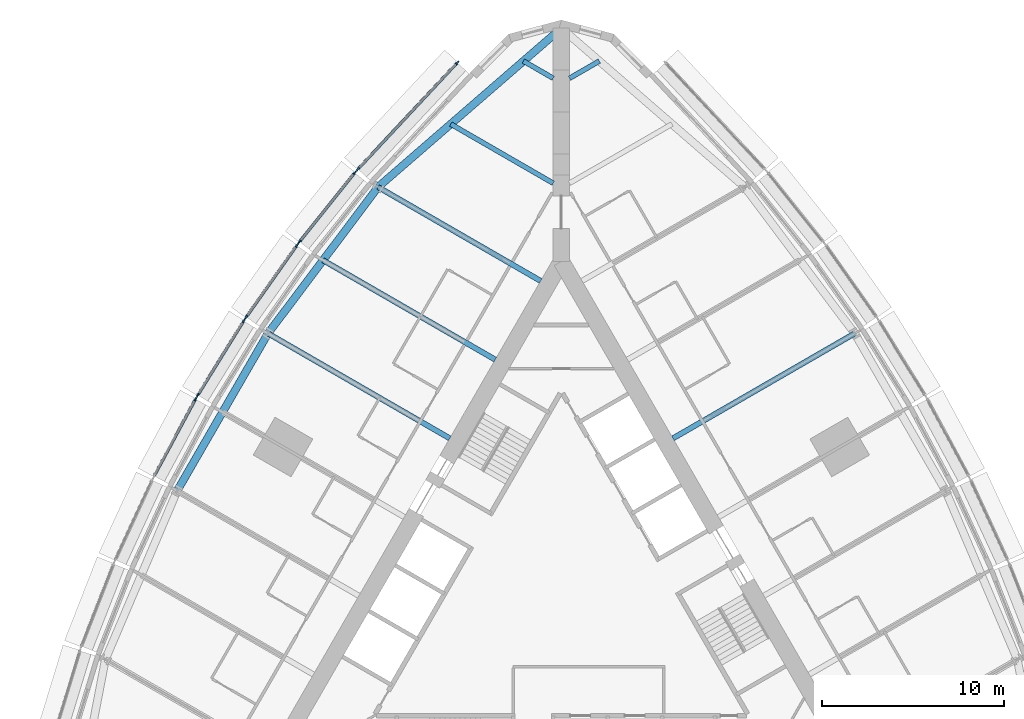
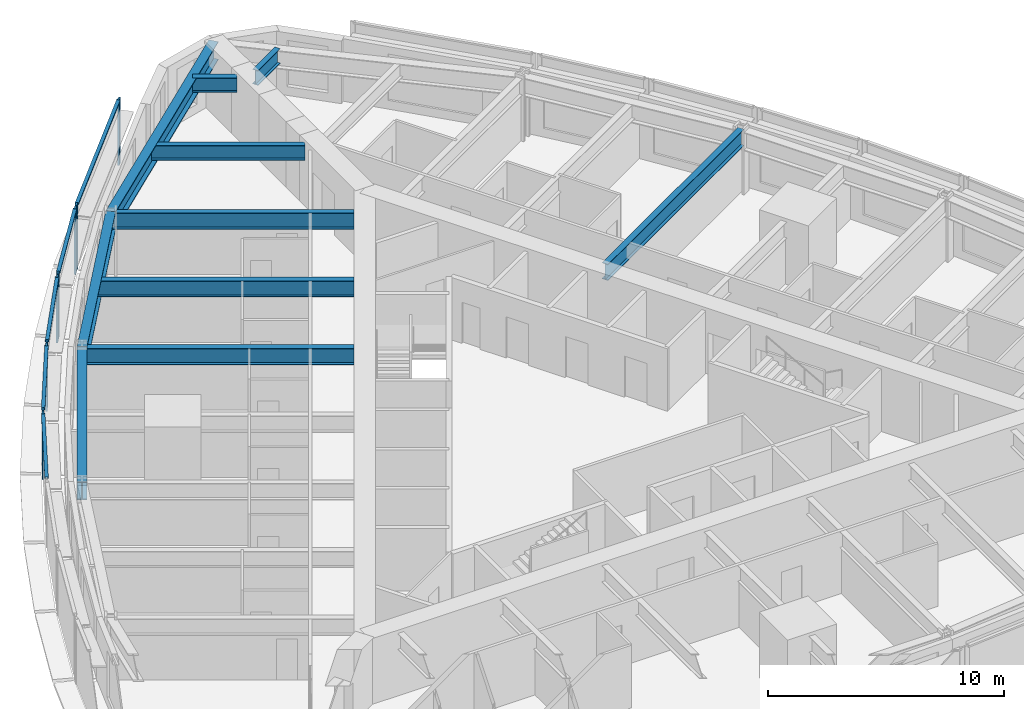
# One storey, part 4 of 14: 14 members, 10 beams, 5 elements without a shape of their own.
"""IFC4 building model written with IfcOpenShell, lengths in metres."""

from ifc_helpers import new_model, si_unit, direction, frame, origin, origin_2d, place, context, subcontext, project, spatial, rectangle, i_section, extrude, material, material_profile, profile_set, type_object, element, aggregate, save


model = new_model("IFC4")

# Units and contexts
model_context = context("Model", 3, precision=1e-05, world=origin(), true_north=direction((0.0, 1.0)))
body_context = subcontext(model_context, "Body", "Model", "MODEL_VIEW")
ifc_project = project(units=[si_unit("LENGTHUNIT", "METRE"), si_unit("AREAUNIT", "SQUARE_METRE"), si_unit("VOLUMEUNIT", "CUBIC_METRE"), si_unit("PLANEANGLEUNIT", "RADIAN"), si_unit("MASSUNIT", "GRAM", prefix="KILO")], contexts=[model_context])

# Site, building, storey
site_placement = place(None, origin())
site = spatial("IfcSite", under=ifc_project, at=site_placement, CompositionType="ELEMENT")
building_placement = place(site_placement, origin())
building = spatial("IfcBuilding", under=site, at=building_placement, Name="Trikona Tower", CompositionType="ELEMENT")
storey_placement = place(building_placement, frame((0.0, 0.0, 48.89990234375)))
storey = spatial("IfcBuildingStorey", under=building, at=storey_placement, Name="L11", CompositionType="ELEMENT", Elevation=48.89990234375)

# Curtain wall, members
ifc_material_1 = material(Name="Aluminium curtain wall system", Category="aluminium")
curtain_wall_type = type_object("IfcCurtainWallType", Name="Curtain wall DS1", PredefinedType="NOTDEFINED", material=ifc_material_1)
curtain_wall_1_placement = place(storey_placement, origin())
curtain_wall_1 = element("IfcCurtainWall", 1, at=curtain_wall_1_placement, inside=storey, type_object=curtain_wall_type, Name="Curtain wall DS1 L11", PredefinedType="NOTDEFINED")
ifc_material_2 = material(Name="Aluminium mullion, pale anodised", Category="aluminium")
ifc_material_profile_1 = material_profile(ifc_material_2, rectangle(XDim=0.080078125, YDim=0.219970703125, at=origin_2d()), Name="MUL-DS1")
ifc_profile_set_1 = profile_set([ifc_material_profile_1], Name="Aluminium mullion, pale anodised")
member_type_1 = type_object("IfcMemberType", Name="Mullion DS1 80x220", PredefinedType="MULLION", material=ifc_profile_set_1)
member_1_placement = place(storey_placement, frame((-5.72607421875, 29.98583984375, 0.0), z_axis=(0.0, 0.0, 1.0), x_axis=(0.731076639405, -0.682295351967, 0.0)))
member_1 = element("IfcMember", 2, at=member_1_placement, type_object=member_type_1, Name="CW-DS1 mullion 1", PredefinedType="MULLION", context=body_context, shape_type="SweptSolid", body=[
    extrude(rectangle(XDim=0.080078125, YDim=0.219970703125, at=origin_2d()), origin(), (0.0, 0.0, 1.0), 3.400146484375),
])
member_2_placement = place(storey_placement, frame((-11.192138671875, 24.129150390625, 0.0), z_axis=(0.0, 0.0, 1.0), x_axis=(0.731076639405, -0.682295351967, 0.0)))
member_2 = element("IfcMember", 3, at=member_2_placement, type_object=member_type_1, Name="CW-DS1 mullion 2", PredefinedType="MULLION", context=body_context, shape_type="SweptSolid", body=[
    extrude(rectangle(XDim=0.080078125, YDim=0.219970703125, at=origin_2d()), origin(), (0.0, 0.0, 1.0), 3.400146484375),
])

curtain_wall_2_placement = place(storey_placement, origin())
curtain_wall_2 = element("IfcCurtainWall", 4, at=curtain_wall_2_placement, inside=storey, type_object=curtain_wall_type, Name="Curtain wall DS1 L11", PredefinedType="NOTDEFINED")
member_3_placement = place(storey_placement, frame((-11.36767578125, 23.926025390625, 0.0), z_axis=(0.0, 0.0, 1.0), x_axis=(0.780937959679, -0.624608599951, 0.0)))
member_3 = element("IfcMember", 5, at=member_3_placement, type_object=member_type_1, Name="CW-DS1 mullion 1", PredefinedType="MULLION", context=body_context, shape_type="SweptSolid", body=[
    extrude(rectangle(XDim=0.080078125, YDim=0.219970703125, at=origin_2d()), origin(), (0.0, 0.0, 1.0), 3.400146484375),
])
member_4_placement = place(storey_placement, frame((-14.40185546875, 20.13232421875, 0.0), z_axis=(0.0, 0.0, 1.0), x_axis=(0.780937959679, -0.624608599951, 0.0)))
member_4 = element("IfcMember", 6, at=member_4_placement, type_object=member_type_1, Name="CW-DS1 mullion 2", PredefinedType="MULLION", context=body_context, shape_type="SweptSolid", body=[
    extrude(rectangle(XDim=0.080078125, YDim=0.219970703125, at=origin_2d()), origin(), (0.0, 0.0, 1.0), 3.400146484375),
])

curtain_wall_3_placement = place(storey_placement, origin())
curtain_wall_3 = element("IfcCurtainWall", 7, at=curtain_wall_3_placement, inside=storey, type_object=curtain_wall_type, Name="Curtain wall DS1 L11", PredefinedType="NOTDEFINED")
member_5_placement = place(storey_placement, frame((-14.554443359375, 19.929443359375, 0.0), z_axis=(0.0, 0.0, 1.0), x_axis=(0.816985393055, -0.576658362928, 0.0)))
member_5 = element("IfcMember", 8, at=member_5_placement, type_object=member_type_1, Name="CW-DS1 mullion 1", PredefinedType="MULLION", context=body_context, shape_type="SweptSolid", body=[
    extrude(rectangle(XDim=0.080078125, YDim=0.219970703125, at=origin_2d()), origin(), (0.0, 0.0, 1.0), 3.400146484375),
])
member_6_placement = place(storey_placement, frame((-17.33447265625, 15.990966796875, 0.0), z_axis=(0.0, 0.0, 1.0), x_axis=(0.816985393055, -0.576658362928, 0.0)))
member_6 = element("IfcMember", 9, at=member_6_placement, type_object=member_type_1, Name="CW-DS1 mullion 2", PredefinedType="MULLION", context=body_context, shape_type="SweptSolid", body=[
    extrude(rectangle(XDim=0.080078125, YDim=0.219970703125, at=origin_2d()), origin(), (0.0, 0.0, 1.0), 3.400146484375),
])

curtain_wall_4_placement = place(storey_placement, origin())
curtain_wall_4 = element("IfcCurtainWall", 10, at=curtain_wall_4_placement, inside=storey, type_object=curtain_wall_type, Name="Curtain wall DS1 L11", PredefinedType="NOTDEFINED")
member_7_placement = place(storey_placement, frame((-17.474853515625, 15.77880859375, 0.0), z_axis=(0.0, 0.0, 1.0), x_axis=(0.850410468941, -0.526119790842, 0.0)))
member_7 = element("IfcMember", 11, at=member_7_placement, type_object=member_type_1, Name="CW-DS1 mullion 1", PredefinedType="MULLION", context=body_context, shape_type="SweptSolid", body=[
    extrude(rectangle(XDim=0.080078125, YDim=0.219970703125, at=origin_2d()), origin(), (0.0, 0.0, 1.0), 3.400146484375),
])
member_8_placement = place(storey_placement, frame((-20.00146484375, 11.69482421875, 0.0), z_axis=(0.0, 0.0, 1.0), x_axis=(0.850410468941, -0.526119790842, 0.0)))
member_8 = element("IfcMember", 12, at=member_8_placement, type_object=member_type_1, Name="CW-DS1 mullion 2", PredefinedType="MULLION", context=body_context, shape_type="SweptSolid", body=[
    extrude(rectangle(XDim=0.080078125, YDim=0.219970703125, at=origin_2d()), origin(), (0.0, 0.0, 1.0), 3.400146484375),
])

# Curtain wall, member
curtain_wall_5_placement = place(storey_placement, origin())
curtain_wall_5 = element("IfcCurtainWall", 13, at=curtain_wall_5_placement, inside=storey, type_object=curtain_wall_type, Name="Curtain wall DS1 L11", PredefinedType="NOTDEFINED")
member_9_placement = place(storey_placement, frame((-20.128662109375, 11.474365234375, 0.0), z_axis=(0.0, 0.0, 1.0), x_axis=(0.880843080975, -0.473408350896, 0.0)))
member_9 = element("IfcMember", 14, at=member_9_placement, type_object=member_type_1, Name="CW-DS1 mullion 1", PredefinedType="MULLION", context=body_context, shape_type="SweptSolid", body=[
    extrude(rectangle(XDim=0.080078125, YDim=0.219970703125, at=origin_2d()), origin(), (0.0, 0.0, 1.0), 3.400146484375),
])

# Beams
ifc_material_3 = material(Name="Steel ASTM A992 Grade 50", Category="steel")
ifc_material_profile_2 = material_profile(ifc_material_3, i_section(OverallWidth=0.2666015625, OverallDepth=0.76953125, WebThickness=0.015625, FlangeThickness=0.025390625, at=origin_2d()), Name="W30X132")
ifc_profile_set_2 = profile_set([ifc_material_profile_2], Name="Steel ASTM A992 Grade 50")
beam_type_1 = type_object("IfcBeamType", Name="Steel beam W30x132 (wedge)", PredefinedType="BEAM", material=ifc_profile_set_2)
for number, where, z_axis, x_axis, name in (
    (15, (0.449951171875, 29.127197265625, 2.850341796875), (0.866009237431, 0.5000279999, 0.0), (-0.5000279999, 0.866009237431, 0.0), "Floor beam L12 F2 u25"),
    (16, (-0.449951171875, 29.127197265625, 2.850341796875), (-0.866009237431, 0.5000279999, 0.0), (-0.5000279999, -0.866009237431, 0.0), "Floor beam L12 F3 u-25"),
):
    element("IfcBeam", number, at=place(storey_placement, frame(where, z_axis=z_axis, x_axis=x_axis)), inside=storey, type_object=beam_type_1, Name=name, PredefinedType="BEAM", context=body_context, shape_type="SweptSolid", body=[
        extrude(i_section(OverallWidth=0.2666015625, OverallDepth=0.76953125, WebThickness=0.015625, FlangeThickness=0.025390625, at=origin_2d()), origin(), (0.0, 0.0, 1.0), 1.890625),
    ])
beam_1_placement = place(storey_placement, frame((-0.449951171875, 23.353759765625, 2.850341796875), z_axis=(-0.866022504693, 0.50000502134, 0.0), x_axis=(-0.50000502134, -0.866022504693, 0.0)))
element("IfcBeam", 17, at=beam_1_placement, inside=storey, type_object=beam_type_1, Name="Floor beam L12 F3 u-20", PredefinedType="BEAM", context=body_context, shape_type="SweptSolid", body=[
    extrude(i_section(OverallWidth=0.2666015625, OverallDepth=0.76953125, WebThickness=0.015625, FlangeThickness=0.025390625, at=origin_2d()), origin(), (0.0, 0.0, 1.0), 6.5068359375),
])
ifc_material_4 = material(Name="Steel ASTM A992 Grade 50", Category="steel")
ifc_material_profile_3 = material_profile(ifc_material_4, i_section(OverallWidth=0.2919921875, OverallDepth=0.845703125, WebThickness=0.015380859375, FlangeThickness=0.0244140625, at=origin_2d()), Name="W33X141")
ifc_profile_set_3 = profile_set([ifc_material_profile_3], Name="Steel ASTM A992 Grade 50")
beam_type_2 = type_object("IfcBeamType", Name="Steel beam W33x141 (radial typ)", PredefinedType="BEAM", material=ifc_profile_set_3)
beam_2_placement = place(storey_placement, frame((6.1396484375, 9.318359375, 2.812255859375), z_axis=(0.866029923217, 0.499992172032, 0.0), x_axis=(-0.499992172032, 0.866029923217, 0.0)))
element("IfcBeam", 18, at=beam_2_placement, inside=storey, type_object=beam_type_2, Name="Floor beam L12 F2 u5", PredefinedType="BEAM", context=body_context, shape_type="SweptSolid", body=[
    extrude(i_section(OverallWidth=0.2919921875, OverallDepth=0.845703125, WebThickness=0.015380859375, FlangeThickness=0.0244140625, at=origin_2d()), origin(), (0.0, 0.0, 1.0), 11.544189453125),
])
beam_3_placement = place(storey_placement, frame((-1.1396484375, 17.978515625, 2.812255859375), z_axis=(-0.866030471684, 0.499991222037, 0.0), x_axis=(-0.499991222037, -0.866030471684, 0.0)))
element("IfcBeam", 19, at=beam_3_placement, inside=storey, type_object=beam_type_2, Name="Floor beam L12 F3 u-15", PredefinedType="BEAM", context=body_context, shape_type="SweptSolid", body=[
    extrude(i_section(OverallWidth=0.2919921875, OverallDepth=0.845703125, WebThickness=0.015380859375, FlangeThickness=0.0244140625, at=origin_2d()), origin(), (0.0, 0.0, 1.0), 10.326904296875),
])
beam_4_placement = place(storey_placement, frame((-3.6396484375, 13.6484375, 2.812255859375), z_axis=(-0.866025348605, 0.500000095573, 0.0), x_axis=(-0.500000095573, -0.866025348605, 0.0)))
element("IfcBeam", 20, at=beam_4_placement, inside=storey, type_object=beam_type_2, Name="Floor beam L12 F3 u-10", PredefinedType="BEAM", context=body_context, shape_type="SweptSolid", body=[
    extrude(i_section(OverallWidth=0.2919921875, OverallDepth=0.845703125, WebThickness=0.015380859375, FlangeThickness=0.0244140625, at=origin_2d()), origin(), (0.0, 0.0, 1.0), 10.935546875),
])
beam_5_placement = place(storey_placement, frame((-6.1396484375, 9.318359375, 2.812255859375), z_axis=(-0.866029923217, 0.499992172032, 0.0), x_axis=(-0.499992172032, -0.866029923217, 0.0)))
element("IfcBeam", 21, at=beam_5_placement, inside=storey, type_object=beam_type_2, Name="Floor beam L12 F3 u-5", PredefinedType="BEAM", context=body_context, shape_type="SweptSolid", body=[
    extrude(i_section(OverallWidth=0.2919921875, OverallDepth=0.845703125, WebThickness=0.015380859375, FlangeThickness=0.0244140625, at=origin_2d()), origin(), (0.0, 0.0, 1.0), 11.544189453125),
])
ifc_material_5 = material(Name="Steel ASTM A992 Grade 50", Category="steel")
ifc_material_profile_4 = material_profile(ifc_material_5, i_section(OverallWidth=0.424072265625, OverallDepth=0.947509765625, WebThickness=0.02392578125, FlangeThickness=0.042724609375, at=origin_2d()), Name="W36X302")
ifc_profile_set_4 = profile_set([ifc_material_profile_4], Name="Steel ASTM A992 Grade 50")
beam_type_3 = type_object("IfcBeamType", Name="Steel beam W36x302 (spandrel)", PredefinedType="SPANDREL", material=ifc_profile_set_4)
beam_6_placement = place(storey_placement, frame((0.0, 31.881591796875, 2.761474609375), z_axis=(-0.755646822726, -0.654979296851, 0.0), x_axis=(0.654979296851, -0.755646822726, 0.0)))
element("IfcBeam", 22, at=beam_6_placement, inside=storey, type_object=beam_type_3, Name="Spandrel beam L12 F3-1", PredefinedType="SPANDREL", context=body_context, shape_type="SweptSolid", body=[
    extrude(i_section(OverallWidth=0.424072265625, OverallDepth=0.947509765625, WebThickness=0.02392578125, FlangeThickness=0.042724609375, at=origin_2d()), origin(), (0.0, 0.0, 1.0), 13.343505859375),
])
beam_7_placement = place(storey_placement, frame((-10.0830078125, 23.141845703125, 2.761474609375), z_axis=(-0.600988344191, -0.799257787042, 0.0), x_axis=(0.799257787042, -0.600988344191, 0.0)))
element("IfcBeam", 23, at=beam_7_placement, inside=storey, type_object=beam_type_3, Name="Spandrel beam L12 F3-2", PredefinedType="SPANDREL", context=body_context, shape_type="SweptSolid", body=[
    extrude(i_section(OverallWidth=0.424072265625, OverallDepth=0.947509765625, WebThickness=0.02392578125, FlangeThickness=0.042724609375, at=origin_2d()), origin(), (0.0, 0.0, 1.0), 10.07373046875),
])
beam_8_placement = place(storey_placement, frame((-16.13720703125, 15.09033203125, 2.761474609375), z_axis=(-0.500004234368, -0.866022959057, 0.0), x_axis=(0.866022959057, -0.500004234368, 0.0)))
element("IfcBeam", 24, at=beam_8_placement, inside=storey, type_object=beam_type_3, Name="Spandrel beam L12 F3-3", PredefinedType="SPANDREL", context=body_context, shape_type="SweptSolid", body=[
    extrude(i_section(OverallWidth=0.424072265625, OverallDepth=0.947509765625, WebThickness=0.02392578125, FlangeThickness=0.042724609375, at=origin_2d()), origin(), (0.0, 0.0, 1.0), 10.0),
])

# Member
ifc_material_6 = material(Name="Aluminium transom, pale anodised", Category="aluminium")
ifc_material_profile_5 = material_profile(ifc_material_6, rectangle(XDim=0.159912109375, YDim=0.080078125, at=origin_2d()), Name="TRN-DS1")
ifc_profile_set_5 = profile_set([ifc_material_profile_5], Name="Aluminium transom, pale anodised")
member_type_2 = type_object("IfcMemberType", Name="Transom DS1 80x160", PredefinedType="USERDEFINED", material=ifc_profile_set_5)
member_10_placement = place(storey_placement, frame((-5.75341796875, 29.95654296875, 3.360107421875), z_axis=(-0.682290830921, -0.731080858758, 0.0), x_axis=(0.731080858758, -0.682290830921, 0.0)))
member_10 = element("IfcMember", 25, at=member_10_placement, type_object=member_type_2, Name="CW-DS1 transom 1.1", ObjectType="TRANSOM", PredefinedType="USERDEFINED", context=body_context, shape_type="SweptSolid", body=[
    extrude(rectangle(XDim=0.159912109375, YDim=0.080078125, at=origin_2d()), origin(), (0.0, 0.0, 1.0), 7.93115234375),
])

aggregate(curtain_wall_1, [member_1, member_2, member_10])

member_11_placement = place(storey_placement, frame((-11.392822265625, 23.894775390625, 3.360107421875), z_axis=(-0.624589103832, -0.780953552636, 0.0), x_axis=(0.780953552636, -0.624589103832, 0.0)))
member_11 = element("IfcMember", 26, at=member_11_placement, type_object=member_type_2, Name="CW-DS1 transom 1.1", ObjectType="TRANSOM", PredefinedType="USERDEFINED", context=body_context, shape_type="SweptSolid", body=[
    extrude(rectangle(XDim=0.159912109375, YDim=0.080078125, at=origin_2d()), origin(), (0.0, 0.0, 1.0), 4.77783203125),
])

aggregate(curtain_wall_2, [member_3, member_4, member_11])

member_12_placement = place(storey_placement, frame((-14.57763671875, 19.896728515625, 3.360107421875), z_axis=(-0.57664478015, -0.816994980111, 0.0), x_axis=(0.816994980111, -0.57664478015, 0.0)))
member_12 = element("IfcMember", 27, at=member_12_placement, type_object=member_type_2, Name="CW-DS1 transom 1.1", ObjectType="TRANSOM", PredefinedType="USERDEFINED", context=body_context, shape_type="SweptSolid", body=[
    extrude(rectangle(XDim=0.159912109375, YDim=0.080078125, at=origin_2d()), origin(), (0.0, 0.0, 1.0), 4.740478515625),
])

aggregate(curtain_wall_3, [member_5, member_6, member_12])

member_13_placement = place(storey_placement, frame((-17.495849609375, 15.744873046875, 3.360107421875), z_axis=(-0.526080502257, -0.850434774186, 0.0), x_axis=(0.850434774186, -0.526080502257, 0.0)))
member_13 = element("IfcMember", 28, at=member_13_placement, type_object=member_type_2, Name="CW-DS1 transom 1.1", ObjectType="TRANSOM", PredefinedType="USERDEFINED", context=body_context, shape_type="SweptSolid", body=[
    extrude(rectangle(XDim=0.159912109375, YDim=0.080078125, at=origin_2d()), origin(), (0.0, 0.0, 1.0), 4.722412109375),
])

aggregate(curtain_wall_4, [member_7, member_8, member_13])

member_14_placement = place(storey_placement, frame((-20.147705078125, 11.43896484375, 3.360107421875), z_axis=(-0.473427569755, -0.880832751546, 0.0), x_axis=(0.880832751546, -0.473427569755, 0.0)))
member_14 = element("IfcMember", 29, at=member_14_placement, type_object=member_type_2, Name="CW-DS1 transom 1.1", ObjectType="TRANSOM", PredefinedType="USERDEFINED", context=body_context, shape_type="SweptSolid", body=[
    extrude(rectangle(XDim=0.159912109375, YDim=0.080078125, at=origin_2d()), origin(), (0.0, 0.0, 1.0), 4.72216796875),
])

aggregate(curtain_wall_5, [member_9, member_14])

save(model, "model.ifc")
